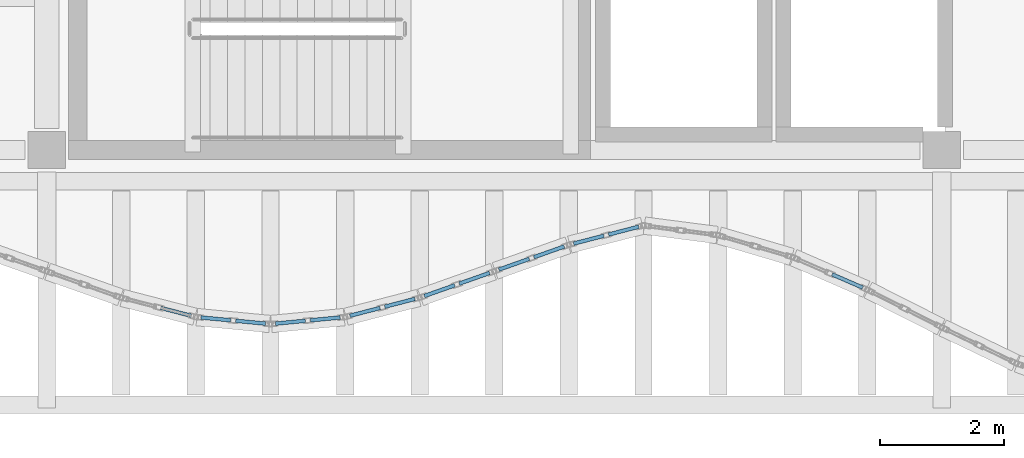
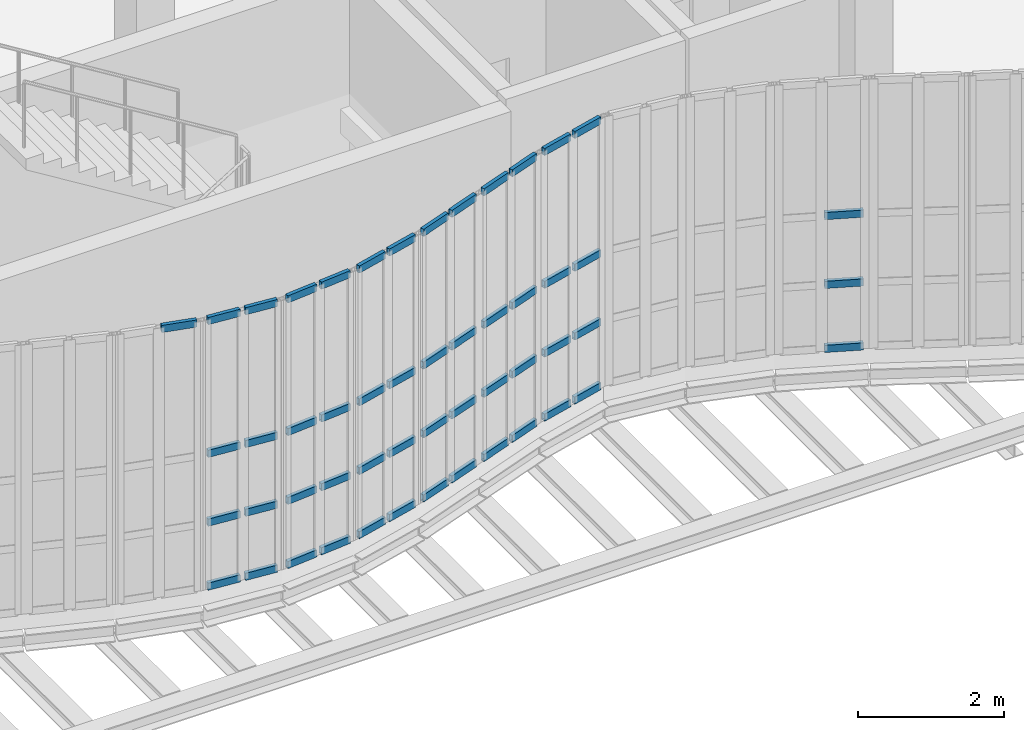
# One storey, part 49 of 105: 52 members, 8 elements without a shape of their own.
"""IFC4 building model written with IfcOpenShell, lengths in metres."""

from ifc_helpers import new_model, si_unit, direction, frame, origin, origin_2d, place, context, subcontext, project, spatial, hollow_rectangle, extrude, material, layer, layer_set, material_profile, profile_set, type_object, element, aggregate, save


model = new_model("IFC4")

# Units and contexts
model_context = context("Model", 3, precision=1e-05, world=origin(), true_north=direction((0.0, 1.0)))
body_context = subcontext(model_context, "Body", "Model", "MODEL_VIEW")
ifc_project = project(units=[si_unit("LENGTHUNIT", "METRE"), si_unit("AREAUNIT", "SQUARE_METRE"), si_unit("VOLUMEUNIT", "CUBIC_METRE"), si_unit("PLANEANGLEUNIT", "RADIAN"), si_unit("MASSUNIT", "GRAM", prefix="KILO"), si_unit("THERMODYNAMICTEMPERATUREUNIT", "KELVIN"), si_unit("POWERUNIT", "WATT")], contexts=[model_context])

# Site, building, storey
site_placement = place(None, origin())
site = spatial("IfcSite", under=ifc_project, at=site_placement, CompositionType="ELEMENT")
building_placement = place(site_placement, origin())
building = spatial("IfcBuilding", under=site, at=building_placement, Name="Kaldorven Railside Theatre", CompositionType="ELEMENT")
storey_placement = place(building_placement, frame((0.0, 0.0, 9.89990234375)))
storey = spatial("IfcBuildingStorey", under=building, at=storey_placement, Name="L02", CompositionType="ELEMENT", Elevation=9.89990234375)

# Curtain wall, member
ifc_material_1 = material(Name="Low-E laminated solar-control glass", Category="glass")
ifc_layer_1 = layer(ifc_material_1, 0.159912109375, Name="Low-E laminated solar-control glass")
ifc_layer_set_1 = layer_set([ifc_layer_1], Name="Low-E laminated solar-control glass")
curtain_wall_type_1 = type_object("IfcCurtainWallType", Name="CWT-02", PredefinedType="USERDEFINED", material=ifc_layer_set_1)
curtain_wall_1_placement = place(storey_placement, origin())
curtain_wall_1 = element("IfcCurtainWall", 1, at=curtain_wall_1_placement, inside=storey, type_object=curtain_wall_type_1, Name="Sinusoidal Fluted Curtain Wall CW-L02-S20", ObjectType="FLUTED GLAZING", PredefinedType="USERDEFINED")
ifc_material_2 = material(Name="Anodised bronze aluminium", Category="aluminium")
ifc_material_profile = material_profile(ifc_material_2, hollow_rectangle(XDim=0.06005859375, YDim=0.1201171875, WallThickness=0.0048828125, at=origin_2d()), Name="RHS 120x60x5")
ifc_profile_set = profile_set([ifc_material_profile], Name="Anodised bronze aluminium")
member_type = type_object("IfcMemberType", Name="CWT-120", PredefinedType="USERDEFINED", material=ifc_profile_set)
member_1_placement = place(storey_placement, frame((60.23876953125, 16.659423828125, 4.47021484375), z_axis=(0.967979318949, -0.251029954561, 0.0), x_axis=(0.251029954561, 0.967979318949, 0.0)))
member_1 = element("IfcMember", 2, at=member_1_placement, type_object=member_type, Name="CW-L02-S20 transom 2.4", ObjectType="TRANSOM", PredefinedType="USERDEFINED", context=body_context, shape_type="SweptSolid", body=[
    extrude(hollow_rectangle(XDim=0.06005859375, YDim=0.1201171875, WallThickness=0.0048828125, at=origin_2d()), origin(), (0.0, 0.0, 1.0), 0.5),
])
aggregate(curtain_wall_1, [member_1])

# Curtain wall, members
ifc_layer_2 = layer(ifc_material_1, 0.159912109375, Name="Low-E laminated solar-control glass")
ifc_layer_set_2 = layer_set([ifc_layer_2], Name="Low-E laminated solar-control glass")
curtain_wall_type_2 = type_object("IfcCurtainWallType", Name="CWT-03", PredefinedType="USERDEFINED", material=ifc_layer_set_2)
curtain_wall_2_placement = place(storey_placement, origin())
curtain_wall_2 = element("IfcCurtainWall", 3, at=curtain_wall_2_placement, inside=storey, type_object=curtain_wall_type_2, Name="Sinusoidal Fluted Curtain Wall CW-L02-S21", ObjectType="FLUTED GLAZING", PredefinedType="USERDEFINED")
member_2_placement = place(storey_placement, frame((60.879638671875, 16.50634765625, 0.030029296875), z_axis=(0.995515910823, -0.094594245591, 0.0), x_axis=(0.094594245591, 0.995515910823, 0.0)))
member_2 = element("IfcMember", 4, at=member_2_placement, type_object=member_type, Name="CW-L02-S21 transom 1.1", ObjectType="TRANSOM", PredefinedType="USERDEFINED", context=body_context, shape_type="SweptSolid", body=[
    extrude(hollow_rectangle(XDim=0.06005859375, YDim=0.1201171875, WallThickness=0.0048828125, at=origin_2d()), origin(), (0.0, 0.0, 1.0), 0.482666015625),
])
member_3_placement = place(storey_placement, frame((60.879638671875, 16.50634765625, 1.10009765625), z_axis=(0.995515910823, -0.094594245591, 0.0), x_axis=(0.094594245591, 0.995515910823, 0.0)))
member_3 = element("IfcMember", 5, at=member_3_placement, type_object=member_type, Name="CW-L02-S21 transom 1.2", ObjectType="TRANSOM", PredefinedType="USERDEFINED", context=body_context, shape_type="SweptSolid", body=[
    extrude(hollow_rectangle(XDim=0.06005859375, YDim=0.1201171875, WallThickness=0.0048828125, at=origin_2d()), origin(), (0.0, 0.0, 1.0), 0.482666015625),
])
member_4_placement = place(storey_placement, frame((60.879638671875, 16.50634765625, 2.25), z_axis=(0.995515910823, -0.094594245591, 0.0), x_axis=(0.094594245591, 0.995515910823, 0.0)))
member_4 = element("IfcMember", 6, at=member_4_placement, type_object=member_type, Name="CW-L02-S21 transom 1.3", ObjectType="TRANSOM", PredefinedType="USERDEFINED", context=body_context, shape_type="SweptSolid", body=[
    extrude(hollow_rectangle(XDim=0.06005859375, YDim=0.1201171875, WallThickness=0.0048828125, at=origin_2d()), origin(), (0.0, 0.0, 1.0), 0.482666015625),
])
member_5_placement = place(storey_placement, frame((60.879638671875, 16.50634765625, 4.47021484375), z_axis=(0.995515910823, -0.094594245591, 0.0), x_axis=(0.094594245591, 0.995515910823, 0.0)))
member_5 = element("IfcMember", 7, at=member_5_placement, type_object=member_type, Name="CW-L02-S21 transom 1.4", ObjectType="TRANSOM", PredefinedType="USERDEFINED", context=body_context, shape_type="SweptSolid", body=[
    extrude(hollow_rectangle(XDim=0.06005859375, YDim=0.1201171875, WallThickness=0.0048828125, at=origin_2d()), origin(), (0.0, 0.0, 1.0), 0.482666015625),
])
member_6_placement = place(storey_placement, frame((61.43994140625, 16.453125, 0.030029296875), z_axis=(0.995515910823, -0.094594245591, 0.0), x_axis=(0.094594245591, 0.995515910823, 0.0)))
member_6 = element("IfcMember", 8, at=member_6_placement, type_object=member_type, Name="CW-L02-S21 transom 2.1", ObjectType="TRANSOM", PredefinedType="USERDEFINED", context=body_context, shape_type="SweptSolid", body=[
    extrude(hollow_rectangle(XDim=0.06005859375, YDim=0.1201171875, WallThickness=0.0048828125, at=origin_2d()), origin(), (0.0, 0.0, 1.0), 0.482666015625),
])
member_7_placement = place(storey_placement, frame((61.43994140625, 16.453125, 1.10009765625), z_axis=(0.995515910823, -0.094594245591, 0.0), x_axis=(0.094594245591, 0.995515910823, 0.0)))
member_7 = element("IfcMember", 9, at=member_7_placement, type_object=member_type, Name="CW-L02-S21 transom 2.2", ObjectType="TRANSOM", PredefinedType="USERDEFINED", context=body_context, shape_type="SweptSolid", body=[
    extrude(hollow_rectangle(XDim=0.06005859375, YDim=0.1201171875, WallThickness=0.0048828125, at=origin_2d()), origin(), (0.0, 0.0, 1.0), 0.482666015625),
])
member_8_placement = place(storey_placement, frame((61.43994140625, 16.453125, 2.25), z_axis=(0.995515910823, -0.094594245591, 0.0), x_axis=(0.094594245591, 0.995515910823, 0.0)))
member_8 = element("IfcMember", 10, at=member_8_placement, type_object=member_type, Name="CW-L02-S21 transom 2.3", ObjectType="TRANSOM", PredefinedType="USERDEFINED", context=body_context, shape_type="SweptSolid", body=[
    extrude(hollow_rectangle(XDim=0.06005859375, YDim=0.1201171875, WallThickness=0.0048828125, at=origin_2d()), origin(), (0.0, 0.0, 1.0), 0.482666015625),
])
member_9_placement = place(storey_placement, frame((61.43994140625, 16.453125, 4.47021484375), z_axis=(0.995515910823, -0.094594245591, 0.0), x_axis=(0.094594245591, 0.995515910823, 0.0)))
member_9 = element("IfcMember", 11, at=member_9_placement, type_object=member_type, Name="CW-L02-S21 transom 2.4", ObjectType="TRANSOM", PredefinedType="USERDEFINED", context=body_context, shape_type="SweptSolid", body=[
    extrude(hollow_rectangle(XDim=0.06005859375, YDim=0.1201171875, WallThickness=0.0048828125, at=origin_2d()), origin(), (0.0, 0.0, 1.0), 0.482666015625),
])
aggregate(curtain_wall_2, [member_2, member_3, member_4, member_5, member_6, member_7, member_8, member_9])

curtain_wall_3_placement = place(storey_placement, origin())
curtain_wall_3 = element("IfcCurtainWall", 12, at=curtain_wall_3_placement, inside=storey, type_object=curtain_wall_type_2, Name="Sinusoidal Fluted Curtain Wall CW-L02-S22", ObjectType="FLUTED GLAZING", PredefinedType="USERDEFINED")
member_10_placement = place(storey_placement, frame((62.07958984375, 16.407470703125, 0.030029296875), z_axis=(0.995515910823, 0.094594245591, 0.0), x_axis=(-0.094594245591, 0.995515910823, 0.0)))
member_10 = element("IfcMember", 13, at=member_10_placement, type_object=member_type, Name="CW-L02-S22 transom 1.1", ObjectType="TRANSOM", PredefinedType="USERDEFINED", context=body_context, shape_type="SweptSolid", body=[
    extrude(hollow_rectangle(XDim=0.06005859375, YDim=0.1201171875, WallThickness=0.0048828125, at=origin_2d()), origin(), (0.0, 0.0, 1.0), 0.482666015625),
])
member_11_placement = place(storey_placement, frame((62.07958984375, 16.407470703125, 1.10009765625), z_axis=(0.995515910823, 0.094594245591, 0.0), x_axis=(-0.094594245591, 0.995515910823, 0.0)))
member_11 = element("IfcMember", 14, at=member_11_placement, type_object=member_type, Name="CW-L02-S22 transom 1.2", ObjectType="TRANSOM", PredefinedType="USERDEFINED", context=body_context, shape_type="SweptSolid", body=[
    extrude(hollow_rectangle(XDim=0.06005859375, YDim=0.1201171875, WallThickness=0.0048828125, at=origin_2d()), origin(), (0.0, 0.0, 1.0), 0.482666015625),
])
member_12_placement = place(storey_placement, frame((62.07958984375, 16.407470703125, 2.25), z_axis=(0.995515910823, 0.094594245591, 0.0), x_axis=(-0.094594245591, 0.995515910823, 0.0)))
member_12 = element("IfcMember", 15, at=member_12_placement, type_object=member_type, Name="CW-L02-S22 transom 1.3", ObjectType="TRANSOM", PredefinedType="USERDEFINED", context=body_context, shape_type="SweptSolid", body=[
    extrude(hollow_rectangle(XDim=0.06005859375, YDim=0.1201171875, WallThickness=0.0048828125, at=origin_2d()), origin(), (0.0, 0.0, 1.0), 0.482666015625),
])
member_13_placement = place(storey_placement, frame((62.07958984375, 16.407470703125, 4.47021484375), z_axis=(0.995515910823, 0.094594245591, 0.0), x_axis=(-0.094594245591, 0.995515910823, 0.0)))
member_13 = element("IfcMember", 16, at=member_13_placement, type_object=member_type, Name="CW-L02-S22 transom 1.4", ObjectType="TRANSOM", PredefinedType="USERDEFINED", context=body_context, shape_type="SweptSolid", body=[
    extrude(hollow_rectangle(XDim=0.06005859375, YDim=0.1201171875, WallThickness=0.0048828125, at=origin_2d()), origin(), (0.0, 0.0, 1.0), 0.482666015625),
])
member_14_placement = place(storey_placement, frame((62.639892578125, 16.460693359375, 0.030029296875), z_axis=(0.995515910823, 0.094594245591, 0.0), x_axis=(-0.094594245591, 0.995515910823, 0.0)))
member_14 = element("IfcMember", 17, at=member_14_placement, type_object=member_type, Name="CW-L02-S22 transom 2.1", ObjectType="TRANSOM", PredefinedType="USERDEFINED", context=body_context, shape_type="SweptSolid", body=[
    extrude(hollow_rectangle(XDim=0.06005859375, YDim=0.1201171875, WallThickness=0.0048828125, at=origin_2d()), origin(), (0.0, 0.0, 1.0), 0.482666015625),
])
member_15_placement = place(storey_placement, frame((62.639892578125, 16.460693359375, 1.10009765625), z_axis=(0.995515910823, 0.094594245591, 0.0), x_axis=(-0.094594245591, 0.995515910823, 0.0)))
member_15 = element("IfcMember", 18, at=member_15_placement, type_object=member_type, Name="CW-L02-S22 transom 2.2", ObjectType="TRANSOM", PredefinedType="USERDEFINED", context=body_context, shape_type="SweptSolid", body=[
    extrude(hollow_rectangle(XDim=0.06005859375, YDim=0.1201171875, WallThickness=0.0048828125, at=origin_2d()), origin(), (0.0, 0.0, 1.0), 0.482666015625),
])
member_16_placement = place(storey_placement, frame((62.639892578125, 16.460693359375, 2.25), z_axis=(0.995515910823, 0.094594245591, 0.0), x_axis=(-0.094594245591, 0.995515910823, 0.0)))
member_16 = element("IfcMember", 19, at=member_16_placement, type_object=member_type, Name="CW-L02-S22 transom 2.3", ObjectType="TRANSOM", PredefinedType="USERDEFINED", context=body_context, shape_type="SweptSolid", body=[
    extrude(hollow_rectangle(XDim=0.06005859375, YDim=0.1201171875, WallThickness=0.0048828125, at=origin_2d()), origin(), (0.0, 0.0, 1.0), 0.482666015625),
])
member_17_placement = place(storey_placement, frame((62.639892578125, 16.460693359375, 4.47021484375), z_axis=(0.995515910823, 0.094594245591, 0.0), x_axis=(-0.094594245591, 0.995515910823, 0.0)))
member_17 = element("IfcMember", 20, at=member_17_placement, type_object=member_type, Name="CW-L02-S22 transom 2.4", ObjectType="TRANSOM", PredefinedType="USERDEFINED", context=body_context, shape_type="SweptSolid", body=[
    extrude(hollow_rectangle(XDim=0.06005859375, YDim=0.1201171875, WallThickness=0.0048828125, at=origin_2d()), origin(), (0.0, 0.0, 1.0), 0.482666015625),
])
aggregate(curtain_wall_3, [member_10, member_11, member_12, member_13, member_14, member_15, member_16, member_17])

curtain_wall_4_placement = place(storey_placement, origin())
curtain_wall_4 = element("IfcCurtainWall", 21, at=curtain_wall_4_placement, inside=storey, type_object=curtain_wall_type_1, Name="Sinusoidal Fluted Curtain Wall CW-L02-S23", ObjectType="FLUTED GLAZING", PredefinedType="USERDEFINED")
member_18_placement = place(storey_placement, frame((63.27734375, 16.533935546875, 0.030029296875), z_axis=(0.967979318949, 0.251029954561, 0.0), x_axis=(-0.251029954561, 0.967979318949, 0.0)))
member_18 = element("IfcMember", 22, at=member_18_placement, type_object=member_type, Name="CW-L02-S23 transom 1.1", ObjectType="TRANSOM", PredefinedType="USERDEFINED", context=body_context, shape_type="SweptSolid", body=[
    extrude(hollow_rectangle(XDim=0.06005859375, YDim=0.1201171875, WallThickness=0.0048828125, at=origin_2d()), origin(), (0.0, 0.0, 1.0), 0.5),
])
member_19_placement = place(storey_placement, frame((63.27734375, 16.533935546875, 1.10009765625), z_axis=(0.967979318949, 0.251029954561, 0.0), x_axis=(-0.251029954561, 0.967979318949, 0.0)))
member_19 = element("IfcMember", 23, at=member_19_placement, type_object=member_type, Name="CW-L02-S23 transom 1.2", ObjectType="TRANSOM", PredefinedType="USERDEFINED", context=body_context, shape_type="SweptSolid", body=[
    extrude(hollow_rectangle(XDim=0.06005859375, YDim=0.1201171875, WallThickness=0.0048828125, at=origin_2d()), origin(), (0.0, 0.0, 1.0), 0.5),
])
member_20_placement = place(storey_placement, frame((63.27734375, 16.533935546875, 2.25), z_axis=(0.967979318949, 0.251029954561, 0.0), x_axis=(-0.251029954561, 0.967979318949, 0.0)))
member_20 = element("IfcMember", 24, at=member_20_placement, type_object=member_type, Name="CW-L02-S23 transom 1.3", ObjectType="TRANSOM", PredefinedType="USERDEFINED", context=body_context, shape_type="SweptSolid", body=[
    extrude(hollow_rectangle(XDim=0.06005859375, YDim=0.1201171875, WallThickness=0.0048828125, at=origin_2d()), origin(), (0.0, 0.0, 1.0), 0.5),
])
member_21_placement = place(storey_placement, frame((63.27734375, 16.533935546875, 4.47021484375), z_axis=(0.967979318949, 0.251029954561, 0.0), x_axis=(-0.251029954561, 0.967979318949, 0.0)))
member_21 = element("IfcMember", 25, at=member_21_placement, type_object=member_type, Name="CW-L02-S23 transom 1.4", ObjectType="TRANSOM", PredefinedType="USERDEFINED", context=body_context, shape_type="SweptSolid", body=[
    extrude(hollow_rectangle(XDim=0.06005859375, YDim=0.1201171875, WallThickness=0.0048828125, at=origin_2d()), origin(), (0.0, 0.0, 1.0), 0.5),
])
member_22_placement = place(storey_placement, frame((63.838623046875, 16.679443359375, 0.030029296875), z_axis=(0.967979318949, 0.251029954561, 0.0), x_axis=(-0.251029954561, 0.967979318949, 0.0)))
member_22 = element("IfcMember", 26, at=member_22_placement, type_object=member_type, Name="CW-L02-S23 transom 2.1", ObjectType="TRANSOM", PredefinedType="USERDEFINED", context=body_context, shape_type="SweptSolid", body=[
    extrude(hollow_rectangle(XDim=0.06005859375, YDim=0.1201171875, WallThickness=0.0048828125, at=origin_2d()), origin(), (0.0, 0.0, 1.0), 0.5),
])
member_23_placement = place(storey_placement, frame((63.838623046875, 16.679443359375, 1.10009765625), z_axis=(0.967979318949, 0.251029954561, 0.0), x_axis=(-0.251029954561, 0.967979318949, 0.0)))
member_23 = element("IfcMember", 27, at=member_23_placement, type_object=member_type, Name="CW-L02-S23 transom 2.2", ObjectType="TRANSOM", PredefinedType="USERDEFINED", context=body_context, shape_type="SweptSolid", body=[
    extrude(hollow_rectangle(XDim=0.06005859375, YDim=0.1201171875, WallThickness=0.0048828125, at=origin_2d()), origin(), (0.0, 0.0, 1.0), 0.5),
])
member_24_placement = place(storey_placement, frame((63.838623046875, 16.679443359375, 2.25), z_axis=(0.967979318949, 0.251029954561, 0.0), x_axis=(-0.251029954561, 0.967979318949, 0.0)))
member_24 = element("IfcMember", 28, at=member_24_placement, type_object=member_type, Name="CW-L02-S23 transom 2.3", ObjectType="TRANSOM", PredefinedType="USERDEFINED", context=body_context, shape_type="SweptSolid", body=[
    extrude(hollow_rectangle(XDim=0.06005859375, YDim=0.1201171875, WallThickness=0.0048828125, at=origin_2d()), origin(), (0.0, 0.0, 1.0), 0.5),
])
member_25_placement = place(storey_placement, frame((63.838623046875, 16.679443359375, 4.47021484375), z_axis=(0.967979318949, 0.251029954561, 0.0), x_axis=(-0.251029954561, 0.967979318949, 0.0)))
member_25 = element("IfcMember", 29, at=member_25_placement, type_object=member_type, Name="CW-L02-S23 transom 2.4", ObjectType="TRANSOM", PredefinedType="USERDEFINED", context=body_context, shape_type="SweptSolid", body=[
    extrude(hollow_rectangle(XDim=0.06005859375, YDim=0.1201171875, WallThickness=0.0048828125, at=origin_2d()), origin(), (0.0, 0.0, 1.0), 0.5),
])
aggregate(curtain_wall_4, [member_18, member_19, member_20, member_21, member_22, member_23, member_24, member_25])

ifc_layer_3 = layer(ifc_material_1, 0.159912109375, Name="Low-E laminated solar-control glass")
ifc_layer_set_3 = layer_set([ifc_layer_3], Name="Low-E laminated solar-control glass")
curtain_wall_type_3 = type_object("IfcCurtainWallType", Name="CWT-01", PredefinedType="USERDEFINED", material=ifc_layer_set_3)
curtain_wall_5_placement = place(storey_placement, origin())
curtain_wall_5 = element("IfcCurtainWall", 30, at=curtain_wall_5_placement, inside=storey, type_object=curtain_wall_type_3, Name="Sinusoidal Fluted Curtain Wall CW-L02-S24", ObjectType="FLUTED GLAZING", PredefinedType="USERDEFINED")
member_26_placement = place(storey_placement, frame((64.475341796875, 16.851806640625, 0.030029296875), z_axis=(0.942710841688, 0.333610954502, 0.0), x_axis=(-0.333610954502, 0.942710841688, 0.0)))
member_26 = element("IfcMember", 31, at=member_26_placement, type_object=member_type, Name="CW-L02-S24 transom 1.1", ObjectType="TRANSOM", PredefinedType="USERDEFINED", context=body_context, shape_type="SweptSolid", body=[
    extrude(hollow_rectangle(XDim=0.06005859375, YDim=0.1201171875, WallThickness=0.0048828125, at=origin_2d()), origin(), (0.0, 0.0, 1.0), 0.5166015625),
])
member_27_placement = place(storey_placement, frame((64.475341796875, 16.851806640625, 1.10009765625), z_axis=(0.942710841688, 0.333610954502, 0.0), x_axis=(-0.333610954502, 0.942710841688, 0.0)))
member_27 = element("IfcMember", 32, at=member_27_placement, type_object=member_type, Name="CW-L02-S24 transom 1.2", ObjectType="TRANSOM", PredefinedType="USERDEFINED", context=body_context, shape_type="SweptSolid", body=[
    extrude(hollow_rectangle(XDim=0.06005859375, YDim=0.1201171875, WallThickness=0.0048828125, at=origin_2d()), origin(), (0.0, 0.0, 1.0), 0.5166015625),
])
member_28_placement = place(storey_placement, frame((64.475341796875, 16.851806640625, 2.25), z_axis=(0.942710841688, 0.333610954502, 0.0), x_axis=(-0.333610954502, 0.942710841688, 0.0)))
member_28 = element("IfcMember", 33, at=member_28_placement, type_object=member_type, Name="CW-L02-S24 transom 1.3", ObjectType="TRANSOM", PredefinedType="USERDEFINED", context=body_context, shape_type="SweptSolid", body=[
    extrude(hollow_rectangle(XDim=0.06005859375, YDim=0.1201171875, WallThickness=0.0048828125, at=origin_2d()), origin(), (0.0, 0.0, 1.0), 0.5166015625),
])
member_29_placement = place(storey_placement, frame((64.475341796875, 16.851806640625, 4.47021484375), z_axis=(0.942710841688, 0.333610954502, 0.0), x_axis=(-0.333610954502, 0.942710841688, 0.0)))
member_29 = element("IfcMember", 34, at=member_29_placement, type_object=member_type, Name="CW-L02-S24 transom 1.4", ObjectType="TRANSOM", PredefinedType="USERDEFINED", context=body_context, shape_type="SweptSolid", body=[
    extrude(hollow_rectangle(XDim=0.06005859375, YDim=0.1201171875, WallThickness=0.0048828125, at=origin_2d()), origin(), (0.0, 0.0, 1.0), 0.5166015625),
])
member_30_placement = place(storey_placement, frame((65.03759765625, 17.05078125, 0.030029296875), z_axis=(0.94256215944, 0.334030800363, 0.0), x_axis=(-0.334030800363, 0.94256215944, 0.0)))
member_30 = element("IfcMember", 35, at=member_30_placement, type_object=member_type, Name="CW-L02-S24 transom 2.1", ObjectType="TRANSOM", PredefinedType="USERDEFINED", context=body_context, shape_type="SweptSolid", body=[
    extrude(hollow_rectangle(XDim=0.06005859375, YDim=0.1201171875, WallThickness=0.0048828125, at=origin_2d()), origin(), (0.0, 0.0, 1.0), 0.516845703125),
])
member_31_placement = place(storey_placement, frame((65.03759765625, 17.05078125, 1.10009765625), z_axis=(0.94256215944, 0.334030800363, 0.0), x_axis=(-0.334030800363, 0.94256215944, 0.0)))
member_31 = element("IfcMember", 36, at=member_31_placement, type_object=member_type, Name="CW-L02-S24 transom 2.2", ObjectType="TRANSOM", PredefinedType="USERDEFINED", context=body_context, shape_type="SweptSolid", body=[
    extrude(hollow_rectangle(XDim=0.06005859375, YDim=0.1201171875, WallThickness=0.0048828125, at=origin_2d()), origin(), (0.0, 0.0, 1.0), 0.516845703125),
])
member_32_placement = place(storey_placement, frame((65.03759765625, 17.05078125, 2.25), z_axis=(0.94256215944, 0.334030800363, 0.0), x_axis=(-0.334030800363, 0.94256215944, 0.0)))
member_32 = element("IfcMember", 37, at=member_32_placement, type_object=member_type, Name="CW-L02-S24 transom 2.3", ObjectType="TRANSOM", PredefinedType="USERDEFINED", context=body_context, shape_type="SweptSolid", body=[
    extrude(hollow_rectangle(XDim=0.06005859375, YDim=0.1201171875, WallThickness=0.0048828125, at=origin_2d()), origin(), (0.0, 0.0, 1.0), 0.516845703125),
])
member_33_placement = place(storey_placement, frame((65.03759765625, 17.05078125, 4.47021484375), z_axis=(0.94256215944, 0.334030800363, 0.0), x_axis=(-0.334030800363, 0.94256215944, 0.0)))
member_33 = element("IfcMember", 38, at=member_33_placement, type_object=member_type, Name="CW-L02-S24 transom 2.4", ObjectType="TRANSOM", PredefinedType="USERDEFINED", context=body_context, shape_type="SweptSolid", body=[
    extrude(hollow_rectangle(XDim=0.06005859375, YDim=0.1201171875, WallThickness=0.0048828125, at=origin_2d()), origin(), (0.0, 0.0, 1.0), 0.516845703125),
])
aggregate(curtain_wall_5, [member_26, member_27, member_28, member_29, member_30, member_31, member_32, member_33])

curtain_wall_6_placement = place(storey_placement, origin())
curtain_wall_6 = element("IfcCurtainWall", 39, at=curtain_wall_6_placement, inside=storey, type_object=curtain_wall_type_3, Name="Sinusoidal Fluted Curtain Wall CW-L02-S25", ObjectType="FLUTED GLAZING", PredefinedType="USERDEFINED")
member_34_placement = place(storey_placement, frame((65.67529296875, 17.276611328125, 0.030029296875), z_axis=(0.94256215944, 0.334030800363, 0.0), x_axis=(-0.334030800363, 0.94256215944, 0.0)))
member_34 = element("IfcMember", 40, at=member_34_placement, type_object=member_type, Name="CW-L02-S25 transom 1.1", ObjectType="TRANSOM", PredefinedType="USERDEFINED", context=body_context, shape_type="SweptSolid", body=[
    extrude(hollow_rectangle(XDim=0.06005859375, YDim=0.1201171875, WallThickness=0.0048828125, at=origin_2d()), origin(), (0.0, 0.0, 1.0), 0.516845703125),
])
member_35_placement = place(storey_placement, frame((65.67529296875, 17.276611328125, 1.10009765625), z_axis=(0.94256215944, 0.334030800363, 0.0), x_axis=(-0.334030800363, 0.94256215944, 0.0)))
member_35 = element("IfcMember", 41, at=member_35_placement, type_object=member_type, Name="CW-L02-S25 transom 1.2", ObjectType="TRANSOM", PredefinedType="USERDEFINED", context=body_context, shape_type="SweptSolid", body=[
    extrude(hollow_rectangle(XDim=0.06005859375, YDim=0.1201171875, WallThickness=0.0048828125, at=origin_2d()), origin(), (0.0, 0.0, 1.0), 0.516845703125),
])
member_36_placement = place(storey_placement, frame((65.67529296875, 17.276611328125, 2.25), z_axis=(0.94256215944, 0.334030800363, 0.0), x_axis=(-0.334030800363, 0.94256215944, 0.0)))
member_36 = element("IfcMember", 42, at=member_36_placement, type_object=member_type, Name="CW-L02-S25 transom 1.3", ObjectType="TRANSOM", PredefinedType="USERDEFINED", context=body_context, shape_type="SweptSolid", body=[
    extrude(hollow_rectangle(XDim=0.06005859375, YDim=0.1201171875, WallThickness=0.0048828125, at=origin_2d()), origin(), (0.0, 0.0, 1.0), 0.516845703125),
])
member_37_placement = place(storey_placement, frame((65.67529296875, 17.276611328125, 4.47021484375), z_axis=(0.94256215944, 0.334030800363, 0.0), x_axis=(-0.334030800363, 0.94256215944, 0.0)))
member_37 = element("IfcMember", 43, at=member_37_placement, type_object=member_type, Name="CW-L02-S25 transom 1.4", ObjectType="TRANSOM", PredefinedType="USERDEFINED", context=body_context, shape_type="SweptSolid", body=[
    extrude(hollow_rectangle(XDim=0.06005859375, YDim=0.1201171875, WallThickness=0.0048828125, at=origin_2d()), origin(), (0.0, 0.0, 1.0), 0.516845703125),
])
member_38_placement = place(storey_placement, frame((66.23779296875, 17.475830078125, 0.030029296875), z_axis=(0.942658214948, 0.333759628763, 0.0), x_axis=(-0.333759628763, 0.942658214948, 0.0)))
member_38 = element("IfcMember", 44, at=member_38_placement, type_object=member_type, Name="CW-L02-S25 transom 2.1", ObjectType="TRANSOM", PredefinedType="USERDEFINED", context=body_context, shape_type="SweptSolid", body=[
    extrude(hollow_rectangle(XDim=0.06005859375, YDim=0.1201171875, WallThickness=0.0048828125, at=origin_2d()), origin(), (0.0, 0.0, 1.0), 0.516357421875),
])
member_39_placement = place(storey_placement, frame((66.23779296875, 17.475830078125, 1.10009765625), z_axis=(0.942658214948, 0.333759628763, 0.0), x_axis=(-0.333759628763, 0.942658214948, 0.0)))
member_39 = element("IfcMember", 45, at=member_39_placement, type_object=member_type, Name="CW-L02-S25 transom 2.2", ObjectType="TRANSOM", PredefinedType="USERDEFINED", context=body_context, shape_type="SweptSolid", body=[
    extrude(hollow_rectangle(XDim=0.06005859375, YDim=0.1201171875, WallThickness=0.0048828125, at=origin_2d()), origin(), (0.0, 0.0, 1.0), 0.516357421875),
])
member_40_placement = place(storey_placement, frame((66.23779296875, 17.475830078125, 2.25), z_axis=(0.942658214948, 0.333759628763, 0.0), x_axis=(-0.333759628763, 0.942658214948, 0.0)))
member_40 = element("IfcMember", 46, at=member_40_placement, type_object=member_type, Name="CW-L02-S25 transom 2.3", ObjectType="TRANSOM", PredefinedType="USERDEFINED", context=body_context, shape_type="SweptSolid", body=[
    extrude(hollow_rectangle(XDim=0.06005859375, YDim=0.1201171875, WallThickness=0.0048828125, at=origin_2d()), origin(), (0.0, 0.0, 1.0), 0.516357421875),
])
member_41_placement = place(storey_placement, frame((66.23779296875, 17.475830078125, 4.47021484375), z_axis=(0.942658214948, 0.333759628763, 0.0), x_axis=(-0.333759628763, 0.942658214948, 0.0)))
member_41 = element("IfcMember", 47, at=member_41_placement, type_object=member_type, Name="CW-L02-S25 transom 2.4", ObjectType="TRANSOM", PredefinedType="USERDEFINED", context=body_context, shape_type="SweptSolid", body=[
    extrude(hollow_rectangle(XDim=0.06005859375, YDim=0.1201171875, WallThickness=0.0048828125, at=origin_2d()), origin(), (0.0, 0.0, 1.0), 0.516357421875),
])
aggregate(curtain_wall_6, [member_34, member_35, member_36, member_37, member_38, member_39, member_40, member_41])

curtain_wall_7_placement = place(storey_placement, origin())
curtain_wall_7 = element("IfcCurtainWall", 48, at=curtain_wall_7_placement, inside=storey, type_object=curtain_wall_type_1, Name="Sinusoidal Fluted Curtain Wall CW-L02-S26", ObjectType="FLUTED GLAZING", PredefinedType="USERDEFINED")
member_42_placement = place(storey_placement, frame((66.87744140625, 17.695068359375, 0.030029296875), z_axis=(0.967979318949, 0.251029954561, 0.0), x_axis=(-0.251029954561, 0.967979318949, 0.0)))
member_42 = element("IfcMember", 49, at=member_42_placement, type_object=member_type, Name="CW-L02-S26 transom 1.1", ObjectType="TRANSOM", PredefinedType="USERDEFINED", context=body_context, shape_type="SweptSolid", body=[
    extrude(hollow_rectangle(XDim=0.06005859375, YDim=0.1201171875, WallThickness=0.0048828125, at=origin_2d()), origin(), (0.0, 0.0, 1.0), 0.5),
])
member_43_placement = place(storey_placement, frame((66.87744140625, 17.695068359375, 1.10009765625), z_axis=(0.967979318949, 0.251029954561, 0.0), x_axis=(-0.251029954561, 0.967979318949, 0.0)))
member_43 = element("IfcMember", 50, at=member_43_placement, type_object=member_type, Name="CW-L02-S26 transom 1.2", ObjectType="TRANSOM", PredefinedType="USERDEFINED", context=body_context, shape_type="SweptSolid", body=[
    extrude(hollow_rectangle(XDim=0.06005859375, YDim=0.1201171875, WallThickness=0.0048828125, at=origin_2d()), origin(), (0.0, 0.0, 1.0), 0.5),
])
member_44_placement = place(storey_placement, frame((66.87744140625, 17.695068359375, 2.25), z_axis=(0.967979318949, 0.251029954561, 0.0), x_axis=(-0.251029954561, 0.967979318949, 0.0)))
member_44 = element("IfcMember", 51, at=member_44_placement, type_object=member_type, Name="CW-L02-S26 transom 1.3", ObjectType="TRANSOM", PredefinedType="USERDEFINED", context=body_context, shape_type="SweptSolid", body=[
    extrude(hollow_rectangle(XDim=0.06005859375, YDim=0.1201171875, WallThickness=0.0048828125, at=origin_2d()), origin(), (0.0, 0.0, 1.0), 0.5),
])
member_45_placement = place(storey_placement, frame((66.87744140625, 17.695068359375, 4.47021484375), z_axis=(0.967979318949, 0.251029954561, 0.0), x_axis=(-0.251029954561, 0.967979318949, 0.0)))
member_45 = element("IfcMember", 52, at=member_45_placement, type_object=member_type, Name="CW-L02-S26 transom 1.4", ObjectType="TRANSOM", PredefinedType="USERDEFINED", context=body_context, shape_type="SweptSolid", body=[
    extrude(hollow_rectangle(XDim=0.06005859375, YDim=0.1201171875, WallThickness=0.0048828125, at=origin_2d()), origin(), (0.0, 0.0, 1.0), 0.5),
])
member_46_placement = place(storey_placement, frame((67.438720703125, 17.840576171875, 0.030029296875), z_axis=(0.967979318949, 0.251029954561, 0.0), x_axis=(-0.251029954561, 0.967979318949, 0.0)))
member_46 = element("IfcMember", 53, at=member_46_placement, type_object=member_type, Name="CW-L02-S26 transom 2.1", ObjectType="TRANSOM", PredefinedType="USERDEFINED", context=body_context, shape_type="SweptSolid", body=[
    extrude(hollow_rectangle(XDim=0.06005859375, YDim=0.1201171875, WallThickness=0.0048828125, at=origin_2d()), origin(), (0.0, 0.0, 1.0), 0.5),
])
member_47_placement = place(storey_placement, frame((67.438720703125, 17.840576171875, 1.10009765625), z_axis=(0.967979318949, 0.251029954561, 0.0), x_axis=(-0.251029954561, 0.967979318949, 0.0)))
member_47 = element("IfcMember", 54, at=member_47_placement, type_object=member_type, Name="CW-L02-S26 transom 2.2", ObjectType="TRANSOM", PredefinedType="USERDEFINED", context=body_context, shape_type="SweptSolid", body=[
    extrude(hollow_rectangle(XDim=0.06005859375, YDim=0.1201171875, WallThickness=0.0048828125, at=origin_2d()), origin(), (0.0, 0.0, 1.0), 0.5),
])
member_48_placement = place(storey_placement, frame((67.438720703125, 17.840576171875, 2.25), z_axis=(0.967979318949, 0.251029954561, 0.0), x_axis=(-0.251029954561, 0.967979318949, 0.0)))
member_48 = element("IfcMember", 55, at=member_48_placement, type_object=member_type, Name="CW-L02-S26 transom 2.3", ObjectType="TRANSOM", PredefinedType="USERDEFINED", context=body_context, shape_type="SweptSolid", body=[
    extrude(hollow_rectangle(XDim=0.06005859375, YDim=0.1201171875, WallThickness=0.0048828125, at=origin_2d()), origin(), (0.0, 0.0, 1.0), 0.5),
])
member_49_placement = place(storey_placement, frame((67.438720703125, 17.840576171875, 4.47021484375), z_axis=(0.967979318949, 0.251029954561, 0.0), x_axis=(-0.251029954561, 0.967979318949, 0.0)))
member_49 = element("IfcMember", 56, at=member_49_placement, type_object=member_type, Name="CW-L02-S26 transom 2.4", ObjectType="TRANSOM", PredefinedType="USERDEFINED", context=body_context, shape_type="SweptSolid", body=[
    extrude(hollow_rectangle(XDim=0.06005859375, YDim=0.1201171875, WallThickness=0.0048828125, at=origin_2d()), origin(), (0.0, 0.0, 1.0), 0.5),
])
aggregate(curtain_wall_7, [member_42, member_43, member_44, member_45, member_46, member_47, member_48, member_49])

ifc_layer_4 = layer(ifc_material_1, 0.159912109375, Name="Low-E laminated solar-control glass")
ifc_layer_set_4 = layer_set([ifc_layer_4], Name="Low-E laminated solar-control glass")
curtain_wall_type_4 = type_object("IfcCurtainWallType", Name="CWT-05", PredefinedType="USERDEFINED", material=ifc_layer_set_4)
curtain_wall_8_placement = place(storey_placement, origin())
curtain_wall_8 = element("IfcCurtainWall", 57, at=curtain_wall_8_placement, inside=storey, type_object=curtain_wall_type_4, Name="Sinusoidal Fluted Curtain Wall CW-L02-S29", ObjectType="FLUTED GLAZING", PredefinedType="USERDEFINED")
member_50_placement = place(storey_placement, frame((71.03662109375, 17.199462890625, 0.030029296875), z_axis=(0.917004668274, -0.398876470056, 0.0), x_axis=(0.398876470056, 0.917004668274, 0.0)))
member_50 = element("IfcMember", 58, at=member_50_placement, type_object=member_type, Name="CW-L02-S29 transom 2.1", ObjectType="TRANSOM", PredefinedType="USERDEFINED", context=body_context, shape_type="SweptSolid", body=[
    extrude(hollow_rectangle(XDim=0.06005859375, YDim=0.1201171875, WallThickness=0.0048828125, at=origin_2d()), origin(), (0.0, 0.0, 1.0), 0.534423828125),
])
member_51_placement = place(storey_placement, frame((71.03662109375, 17.199462890625, 1.10009765625), z_axis=(0.917004668274, -0.398876470056, 0.0), x_axis=(0.398876470056, 0.917004668274, 0.0)))
member_51 = element("IfcMember", 59, at=member_51_placement, type_object=member_type, Name="CW-L02-S29 transom 2.2", ObjectType="TRANSOM", PredefinedType="USERDEFINED", context=body_context, shape_type="SweptSolid", body=[
    extrude(hollow_rectangle(XDim=0.06005859375, YDim=0.1201171875, WallThickness=0.0048828125, at=origin_2d()), origin(), (0.0, 0.0, 1.0), 0.534423828125),
])
member_52_placement = place(storey_placement, frame((71.03662109375, 17.199462890625, 2.25), z_axis=(0.917004668274, -0.398876470056, 0.0), x_axis=(0.398876470056, 0.917004668274, 0.0)))
member_52 = element("IfcMember", 60, at=member_52_placement, type_object=member_type, Name="CW-L02-S29 transom 2.3", ObjectType="TRANSOM", PredefinedType="USERDEFINED", context=body_context, shape_type="SweptSolid", body=[
    extrude(hollow_rectangle(XDim=0.06005859375, YDim=0.1201171875, WallThickness=0.0048828125, at=origin_2d()), origin(), (0.0, 0.0, 1.0), 0.534423828125),
])
aggregate(curtain_wall_8, [member_50, member_51, member_52])

save(model, "model.ifc")
